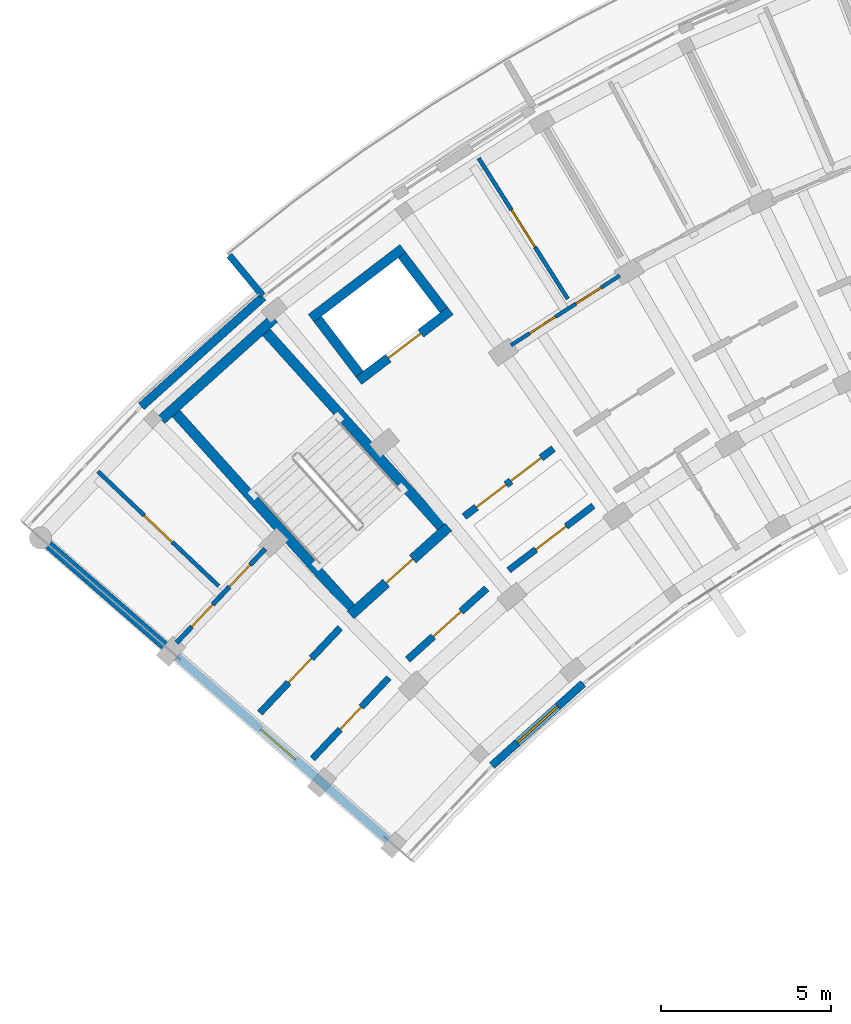
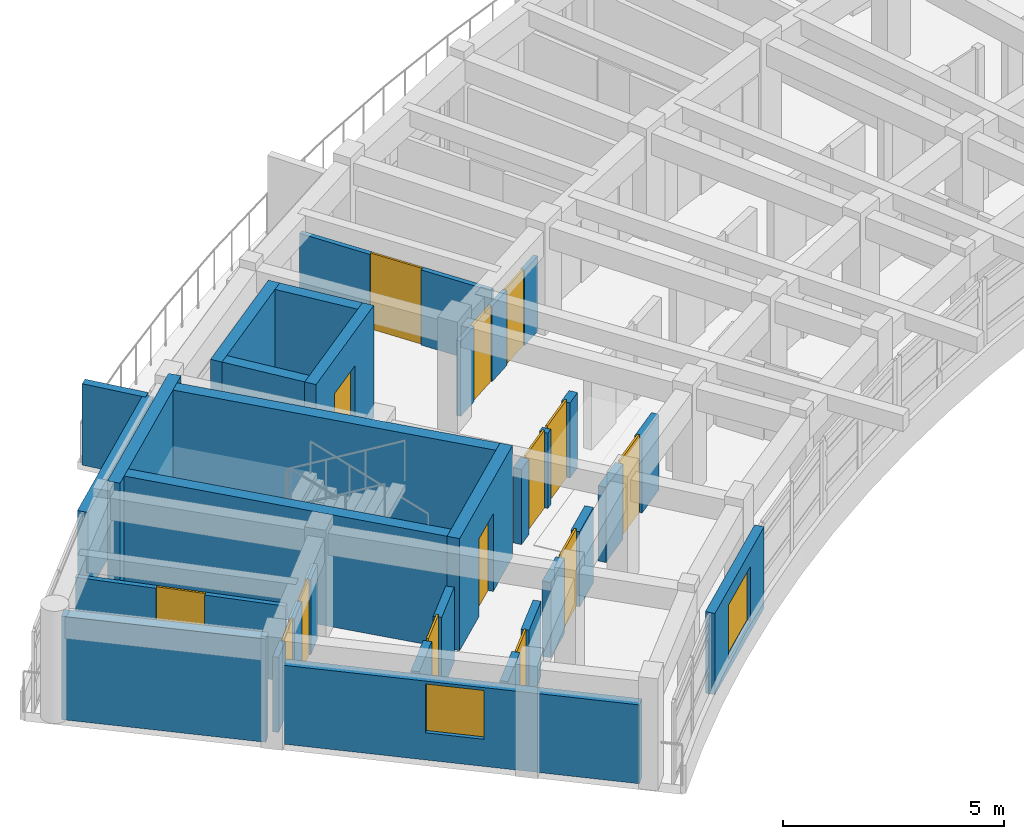
# One storey, part 30 of 50: 22 walls, 14 doors, 2 windows, 16 openings.
"""IFC4 building model written with IfcOpenShell, lengths in metres."""

from ifc_helpers import new_model, si_unit, direction, frame, frame_2d, origin, place, context, subcontext, project, spatial, rectangle, extrude, material, layer, layer_set, type_object, element, fill, save


model = new_model("IFC4")

# Units and contexts
model_context = context("Model", 3, precision=1e-05, world=origin(), true_north=direction((0.0, 1.0)))
body_context = subcontext(model_context, "Body", "Model", "MODEL_VIEW")
ifc_project = project(units=[si_unit("LENGTHUNIT", "METRE"), si_unit("AREAUNIT", "SQUARE_METRE"), si_unit("VOLUMEUNIT", "CUBIC_METRE"), si_unit("PLANEANGLEUNIT", "RADIAN"), si_unit("MASSUNIT", "GRAM", prefix="KILO")], contexts=[model_context])

# Site, building, storey
site_placement = place(None, origin())
site = spatial("IfcSite", under=ifc_project, at=site_placement, CompositionType="ELEMENT")
building_placement = place(site_placement, origin())
building = spatial("IfcBuilding", under=site, at=building_placement, Name="Zimvara Arc Housing Community", CompositionType="ELEMENT")
storey_placement = place(building_placement, frame((0.0, 0.0, 26.699951171875)))
storey = spatial("IfcBuildingStorey", under=building, at=storey_placement, Name="L08", CompositionType="ELEMENT", Elevation=26.699951171875)

# Wall, opening, window
ifc_material_1 = material(Name="Board-Marked Fair-Faced Concrete C35/45", Category="concrete")
ifc_layer_1 = layer(ifc_material_1, 0.22998046875)
ifc_layer_set_1 = layer_set([ifc_layer_1], Name="Board-Marked Fair-Faced Concrete C35/45")
wall_type_1 = type_object("IfcWallType", Name="EWL-CONC-230", PredefinedType="SOLIDWALL", material=ifc_layer_set_1)
wall_1_placement = place(storey_placement, frame((13.84033203125, 76.436767578125, 0.0), z_axis=(0.0, 0.0, 1.0), x_axis=(0.743385092197, 0.668863666751, 0.0)))
wall_1 = element("IfcWall", 1, at=wall_1_placement, inside=storey, type_object=wall_type_1, Name="ewall:blkA:L08:in:b1", PredefinedType="SOLIDWALL", context=body_context, shape_type="SweptSolid", body=[
    extrude(rectangle(XDim=3.603759765625, YDim=0.22998046875, at=frame_2d((1.8017578125, 0.0))), origin(), (0.0, 0.0, 1.0), 2.25),
])
opening_1_placement = place(wall_1_placement, frame((1.001708984375, 0.0, 0.320068359375)))
opening_1 = element("IfcOpeningElement", 2, at=opening_1_placement, cuts=wall_1, Name="Opening W03", PredefinedType="OPENING", context=body_context, shape_type="SweptSolid", body=[
    extrude(rectangle(XDim=1.60009765625, YDim=1.5, at=frame_2d((0.800048828125, 0.75))), frame((0.0, 0.125, 0.0), z_axis=(0.0, -1.0, 0.0), x_axis=(1.0, 0.0, 0.0)), (0.0, 0.0, 1.0), 0.25),
])
ifc_material_2 = material(Name="Solar Control Low-E Double Glazing", Category="glass")
window_type_1 = type_object("IfcWindowType", Name="WIN-RES-1600x1500", PartitioningType="DOUBLE_PANEL_VERTICAL", PredefinedType="WINDOW", material=ifc_material_2)
window_1_placement = place(opening_1_placement, origin())
window_1 = element("IfcWindow", 3, at=window_1_placement, inside=storey, type_object=window_type_1, Name="win:blkA:L08:in:b1", OverallHeight=1.5, OverallWidth=1.60009765625, PartitioningType="DOUBLE_PANEL_VERTICAL", PredefinedType="WINDOW", context=body_context, shape_type="SweptSolid", body=[
    extrude(rectangle(XDim=1.60009765625, YDim=1.5, at=frame_2d((0.800048828125, 0.75))), frame((0.0, 0.030029296875, 0.0), z_axis=(0.0, -1.0, 0.0), x_axis=(1.0, 0.0, 0.0)), (0.0, 0.0, 1.0), 0.06005859375),
])
fill(opening_1, window_1)

# Wall
ifc_material_3 = material(Name="Board-Marked Fair-Faced Concrete C35/45", Category="concrete")
ifc_layer_2 = layer(ifc_material_3, 0.2548828125)
ifc_layer_set_2 = layer_set([ifc_layer_2], Name="Board-Marked Fair-Faced Concrete C35/45")
wall_type_2 = type_object("IfcWallType", Name="EWL-CONC-255", PredefinedType="SOLIDWALL", material=ifc_layer_set_2)
wall_2_placement = place(storey_placement, frame((3.528076171875, 86.996826171875, 0.0), z_axis=(0.0, 0.0, 1.0), x_axis=(0.743387539862, 0.668860946369, 0.0)))
element("IfcWall", 4, at=wall_2_placement, inside=storey, type_object=wall_type_2, Name="ewall:blkA:L08:out:b1", PredefinedType="SOLIDWALL", context=body_context, shape_type="SweptSolid", body=[
    extrude(rectangle(XDim=4.80908203125, YDim=0.2548828125, at=frame_2d((2.404541015625, 0.0))), origin(), (0.0, 0.0, 1.0), 2.25),
])

# Wall, opening, window
wall_3_placement = place(storey_placement, frame((10.766357421875, 74.2587890625, 0.0), z_axis=(0.0, 0.0, 1.0), x_axis=(-0.754717680958, 0.656049710044, 0.0)))
wall_3 = element("IfcWall", 5, at=wall_3_placement, inside=storey, type_object=wall_type_2, Name="ewall:blkA:L08:g0", PredefinedType="SOLIDWALL", context=body_context, shape_type="SweptSolid", body=[
    extrude(rectangle(XDim=8.199951171875, YDim=0.2548828125, at=frame_2d((4.10009765625, 0.0))), origin(), (0.0, 0.0, 1.0), 2.179931640625),
])
opening_2_placement = place(wall_3_placement, frame((3.590087890625, 0.0, 0.75)))
opening_2 = element("IfcOpeningElement", 6, at=opening_2_placement, cuts=wall_3, Name="Opening W12", PredefinedType="OPENING", context=body_context, shape_type="SweptSolid", body=[
    extrude(rectangle(XDim=1.35009765625, YDim=1.35009765625, at=frame_2d((0.675048828125, 0.675048828125))), frame((0.0, 0.137451171875, 0.0), z_axis=(0.0, -1.0, 0.0), x_axis=(1.0, 0.0, 0.0)), (0.0, 0.0, 1.0), 0.27490234375),
])
ifc_material_4 = material(Name="Solar Control Low-E Double Glazing", Category="glass")
window_type_2 = type_object("IfcWindowType", Name="WIN-RES-1350x1350", PartitioningType="DOUBLE_PANEL_VERTICAL", PredefinedType="WINDOW", material=ifc_material_4)
window_2_placement = place(opening_2_placement, origin())
window_2 = element("IfcWindow", 7, at=window_2_placement, inside=storey, type_object=window_type_2, Name="win:blkA:L08:g0:w", OverallHeight=1.35009765625, OverallWidth=1.35009765625, PartitioningType="DOUBLE_PANEL_VERTICAL", PredefinedType="WINDOW", context=body_context, shape_type="SweptSolid", body=[
    extrude(rectangle(XDim=1.35009765625, YDim=1.35009765625, at=frame_2d((0.675048828125, 0.675048828125))), frame((0.0, 0.030029296875, 0.0), z_axis=(0.0, -1.0, 0.0), x_axis=(1.0, 0.0, 0.0)), (0.0, 0.0, 1.0), 0.06005859375),
])
fill(opening_2, window_2)

# Wall
ifc_material_5 = material(Name="Board-Marked Fair-Faced Concrete C35/45", Category="concrete")
ifc_layer_3 = layer(ifc_material_5, 0.195068359375)
ifc_layer_set_3 = layer_set([ifc_layer_3], Name="Board-Marked Fair-Faced Concrete C35/45")
wall_type_3 = type_object("IfcWallType", Name="EWL-PARA-195", PredefinedType="PARAPET", material=ifc_layer_set_3)
wall_4_placement = place(storey_placement, frame((7.09228515625, 90.25732421875, 0.0), z_axis=(0.0, 0.0, 1.0), x_axis=(-0.637952984874, 0.770075313908, 0.0)))
element("IfcWall", 8, at=wall_4_placement, inside=storey, type_object=wall_type_3, Name="finwall:blkA:L08:out:b2", PredefinedType="PARAPET", context=body_context, shape_type="SweptSolid", body=[
    extrude(rectangle(XDim=1.530029296875, YDim=0.195068359375, at=frame_2d((0.76513671875, 0.0))), origin(), (0.0, 0.0, 1.0), 2.25),
])

# Wall, opening, door
ifc_material_6 = material(Name="Concrete C35/45", Category="concrete")
ifc_layer_4 = layer(ifc_material_6, 0.2099609375)
ifc_layer_set_4 = layer_set([ifc_layer_4], Name="Concrete C35/45")
wall_type_4 = type_object("IfcWallType", Name="IWL-CCF-210", PredefinedType="SOLIDWALL", material=ifc_layer_set_4)
wall_5_placement = place(storey_placement, frame((11.357177734375, 79.5517578125, 0.0), z_axis=(0.0, 0.0, 1.0), x_axis=(0.743387266925, 0.668861249718, 0.0)))
wall_5 = element("IfcWall", 9, at=wall_5_placement, inside=storey, type_object=wall_type_4, Name="iwall:blkA:L08:ccf_div:b1", PredefinedType="SOLIDWALL", context=body_context, shape_type="SweptSolid", body=[
    extrude(rectangle(XDim=3.12841796875, YDim=0.2099609375, at=frame_2d((1.564208984375, 0.0))), origin(), (0.0, 0.0, 1.0), 2.080078125),
])
opening_3_placement = place(wall_5_placement, frame((1.014404296875, 0.0, 0.0)))
opening_3 = element("IfcOpeningElement", 10, at=opening_3_placement, cuts=wall_5, Name="Opening FD-CCF1", PredefinedType="OPENING", context=body_context, shape_type="SweptSolid", body=[
    extrude(rectangle(XDim=1.10009765625, YDim=2.14990234375, at=frame_2d((0.550048828125, 1.074951171875))), frame((0.0, 0.114990234375, 0.0), z_axis=(0.0, -1.0, 0.0), x_axis=(1.0, 0.0, 0.0)), (0.0, 0.0, 1.0), 0.22998046875),
])
ifc_material_7 = material(Name="Anodised Aluminium AW-6063", Category="aluminium")
door_type_1 = type_object("IfcDoorType", Name="IDR-CCF-1100x2150", OperationType="NOTDEFINED", PredefinedType="DOOR", material=ifc_material_7)
door_1_placement = place(opening_3_placement, origin())
door_1 = element("IfcDoor", 11, at=door_1_placement, inside=storey, type_object=door_type_1, Name="idoor:blkA:L08:ccf_in:b1", OperationType="SINGLE_SWING_LEFT", OverallHeight=2.14990234375, OverallWidth=1.10009765625, PredefinedType="DOOR", context=body_context, shape_type="SweptSolid", body=[
    extrude(rectangle(XDim=1.10009765625, YDim=2.14990234375, at=frame_2d((0.550048828125, 1.074951171875))), frame((0.0, 0.02490234375, 0.0), z_axis=(0.0, -1.0, 0.0), x_axis=(1.0, 0.0, 0.0)), (0.0, 0.0, 1.0), 0.050048828125),
])
fill(opening_3, door_1)

# Wall, openings, doors
wall_6_placement = place(storey_placement, frame((13.021240234375, 83.758544921875, 0.0), z_axis=(0.0, 0.0, 1.0), x_axis=(0.795498026433, 0.605956178235, 0.0)))
wall_6 = element("IfcWall", 12, at=wall_6_placement, inside=storey, type_object=wall_type_4, Name="iwall:blkA:L08:ll_div:b2", PredefinedType="SOLIDWALL", context=body_context, shape_type="SweptSolid", body=[
    extrude(rectangle(XDim=3.296142578125, YDim=0.2099609375, at=frame_2d((1.64794921875, 0.0))), origin(), (0.0, 0.0, 1.0), 2.080078125),
])
opening_4_placement = place(wall_6_placement, frame((0.449951171875, 0.0, 0.0)))
opening_4 = element("IfcOpeningElement", 13, at=opening_4_placement, cuts=wall_6, Name="Opening FD-CCF1", PredefinedType="OPENING", context=body_context, shape_type="SweptSolid", body=[
    extrude(rectangle(XDim=1.10009765625, YDim=2.14990234375, at=frame_2d((0.550048828125, 1.074951171875))), frame((0.0, 0.114990234375, 0.0), z_axis=(0.0, -1.0, 0.0), x_axis=(1.0, 0.0, 0.0)), (0.0, 0.0, 1.0), 0.22998046875),
])
opening_5_placement = place(wall_6_placement, frame((1.72607421875, 0.0, 0.0)))
opening_5 = element("IfcOpeningElement", 14, at=opening_5_placement, cuts=wall_6, Name="Opening D07", PredefinedType="OPENING", context=body_context, shape_type="SweptSolid", body=[
    extrude(rectangle(XDim=1.1201171875, YDim=2.14990234375, at=frame_2d((0.56005859375, 1.074951171875))), frame((0.0, 0.114990234375, 0.0), z_axis=(0.0, -1.0, 0.0), x_axis=(1.0, 0.0, 0.0)), (0.0, 0.0, 1.0), 0.22998046875),
])
ifc_material_8 = material(Name="Mozambican Hardwood", Category="wood")
door_type_2 = type_object("IfcDoorType", Name="IDR-AMN-1120x2150", OperationType="NOTDEFINED", PredefinedType="DOOR", material=ifc_material_8)
door_2_placement = place(opening_5_placement, origin())
door_2 = element("IfcDoor", 15, at=door_2_placement, inside=storey, type_object=door_type_2, Name="idoor:blkA:L08:rs_in:b2", OperationType="SINGLE_SWING_LEFT", OverallHeight=2.14990234375, OverallWidth=1.1201171875, PredefinedType="DOOR", context=body_context, shape_type="SweptSolid", body=[
    extrude(rectangle(XDim=1.1201171875, YDim=2.14990234375, at=frame_2d((0.56005859375, 1.074951171875))), frame((0.0, 0.02490234375, 0.0), z_axis=(0.0, -1.0, 0.0), x_axis=(1.0, 0.0, 0.0)), (0.0, 0.0, 1.0), 0.050048828125),
])
fill(opening_5, door_2)
door_3_placement = place(opening_4_placement, origin())
door_3 = element("IfcDoor", 16, at=door_3_placement, inside=storey, type_object=door_type_1, Name="idoor:blkA:L08:ll_in:b2", OperationType="SINGLE_SWING_RIGHT", OverallHeight=2.14990234375, OverallWidth=1.10009765625, PredefinedType="DOOR", context=body_context, shape_type="SweptSolid", body=[
    extrude(rectangle(XDim=1.10009765625, YDim=2.14990234375, at=frame_2d((0.550048828125, 1.074951171875))), frame((0.0, 0.02490234375, 0.0), z_axis=(0.0, -1.0, 0.0), x_axis=(1.0, 0.0, 0.0)), (0.0, 0.0, 1.0), 0.050048828125),
])
fill(opening_4, door_3)

# Wall, opening, door
ifc_material_9 = material(Name="Concrete C35/45", Category="concrete")
ifc_layer_5 = layer(ifc_material_9, 0.18994140625)
ifc_layer_set_5 = layer_set([ifc_layer_5], Name="Concrete C35/45")
wall_type_5 = type_object("IfcWallType", Name="IWL-CORR-190", PredefinedType="SOLIDWALL", material=ifc_layer_set_5)
wall_7_placement = place(storey_placement, frame((8.561279296875, 76.638916015625, 0.0), z_axis=(0.0, 0.0, 1.0), x_axis=(0.686307658735, 0.727311348434, 0.0)))
wall_7 = element("IfcWall", 17, at=wall_7_placement, inside=storey, type_object=wall_type_5, Name="iwall:blkA:L08:corr_in:b0", PredefinedType="SOLIDWALL", context=body_context, shape_type="SweptSolid", body=[
    extrude(rectangle(XDim=3.268798828125, YDim=0.18994140625, at=frame_2d((1.63427734375, 0.0))), origin(), (0.0, 0.0, 1.0), 2.080078125),
])
opening_6_placement = place(wall_7_placement, frame((1.184326171875, 0.0, 0.0)))
opening_6 = element("IfcOpeningElement", 18, at=opening_6_placement, cuts=wall_7, Name="Opening D01", PredefinedType="OPENING", context=body_context, shape_type="SweptSolid", body=[
    extrude(rectangle(XDim=0.89990234375, YDim=2.10009765625, at=frame_2d((0.449951171875, 1.050048828125))), frame((0.0, 0.10498046875, 0.0), z_axis=(0.0, -1.0, 0.0), x_axis=(1.0, 0.0, 0.0)), (0.0, 0.0, 1.0), 0.2099609375),
])
ifc_material_10 = material(Name="Mozambican Hardwood", Category="wood")
door_type_3 = type_object("IfcDoorType", Name="IDR-RM-0900x2100", OperationType="NOTDEFINED", PredefinedType="DOOR", material=ifc_material_10)
door_4_placement = place(opening_6_placement, origin())
door_4 = element("IfcDoor", 19, at=door_4_placement, inside=storey, type_object=door_type_3, Name="idoor:blkA:L08:in_rm:b0", OperationType="SINGLE_SWING_LEFT", OverallHeight=2.10009765625, OverallWidth=0.89990234375, PredefinedType="DOOR", context=body_context, shape_type="SweptSolid", body=[
    extrude(rectangle(XDim=0.89990234375, YDim=2.10009765625, at=frame_2d((0.449951171875, 1.050048828125))), frame((0.0, 0.02490234375, 0.0), z_axis=(0.0, -1.0, 0.0), x_axis=(1.0, 0.0, 0.0)), (0.0, 0.0, 1.0), 0.050048828125),
])
fill(opening_6, door_4)

wall_8_placement = place(storey_placement, frame((14.3291015625, 82.179931640625, 0.0), z_axis=(0.0, 0.0, 1.0), x_axis=(0.795501577908, 0.605951515838, 0.0)))
wall_8 = element("IfcWall", 20, at=wall_8_placement, inside=storey, type_object=wall_type_5, Name="iwall:blkA:L08:ra_div:b2", PredefinedType="SOLIDWALL", context=body_context, shape_type="SweptSolid", body=[
    extrude(rectangle(XDim=3.128662109375, YDim=0.18994140625, at=frame_2d((1.564453125, 0.0))), origin(), (0.0, 0.0, 1.0), 2.080078125),
])
opening_7_placement = place(wall_8_placement, frame((1.00439453125, 0.0, 0.0)))
opening_7 = element("IfcOpeningElement", 21, at=opening_7_placement, cuts=wall_8, Name="Opening D07", PredefinedType="OPENING", context=body_context, shape_type="SweptSolid", body=[
    extrude(rectangle(XDim=1.1201171875, YDim=2.14990234375, at=frame_2d((0.56005859375, 1.074951171875))), frame((0.0, 0.10498046875, 0.0), z_axis=(0.0, -1.0, 0.0), x_axis=(1.0, 0.0, 0.0)), (0.0, 0.0, 1.0), 0.2099609375),
])
door_5_placement = place(opening_7_placement, origin())
door_5 = element("IfcDoor", 22, at=door_5_placement, inside=storey, type_object=door_type_2, Name="idoor:blkA:L08:ra_d:b2", OperationType="SINGLE_SWING_RIGHT", OverallHeight=2.14990234375, OverallWidth=1.1201171875, PredefinedType="DOOR", context=body_context, shape_type="SweptSolid", body=[
    extrude(rectangle(XDim=1.1201171875, YDim=2.14990234375, at=frame_2d((0.56005859375, 1.074951171875))), frame((0.0, 0.02490234375, 0.0), z_axis=(0.0, -1.0, 0.0), x_axis=(1.0, 0.0, 0.0)), (0.0, 0.0, 1.0), 0.050048828125),
])
fill(opening_7, door_5)

ifc_material_11 = material(Name="Concrete C35/45", Category="concrete")
ifc_layer_6 = layer(ifc_material_11, 0.199951171875)
ifc_layer_set_6 = layer_set([ifc_layer_6], Name="Concrete C35/45")
wall_type_6 = type_object("IfcWallType", Name="IWL-CORR-200", PredefinedType="SOLIDWALL", material=ifc_layer_set_6)
wall_9_placement = place(storey_placement, frame((7.01416015625, 77.98388671875, 0.0), z_axis=(0.0, 0.0, 1.0), x_axis=(0.686310507227, 0.727308660522, 0.0)))
wall_9 = element("IfcWall", 23, at=wall_9_placement, inside=storey, type_object=wall_type_6, Name="iwall:blkA:L08:corr_out:b0", PredefinedType="SOLIDWALL", context=body_context, shape_type="SweptSolid", body=[
    extrude(rectangle(XDim=3.43603515625, YDim=0.199951171875, at=frame_2d((1.718017578125, 0.0))), origin(), (0.0, 0.0, 1.0), 2.080078125),
])
opening_8_placement = place(wall_9_placement, frame((1.22802734375, 0.0, 0.0)))
opening_8 = element("IfcOpeningElement", 24, at=opening_8_placement, cuts=wall_9, Name="Opening FD-FL1", PredefinedType="OPENING", context=body_context, shape_type="SweptSolid", body=[
    extrude(rectangle(XDim=0.97998046875, YDim=2.14990234375, at=frame_2d((0.489990234375, 1.074951171875))), frame((0.0, 0.10986328125, 0.0), z_axis=(0.0, -1.0, 0.0), x_axis=(1.0, 0.0, 0.0)), (0.0, 0.0, 1.0), 0.219970703125),
])
ifc_material_12 = material(Name="Mozambican Hardwood", Category="wood")
door_type_4 = type_object("IfcDoorType", Name="IDR-FLAT-0980x2150", OperationType="NOTDEFINED", PredefinedType="DOOR", material=ifc_material_12)
door_6_placement = place(opening_8_placement, origin())
door_6 = element("IfcDoor", 25, at=door_6_placement, inside=storey, type_object=door_type_4, Name="idoor:blkA:L08:flat:b0", OperationType="SINGLE_SWING_RIGHT", OverallHeight=2.14990234375, OverallWidth=0.97998046875, PredefinedType="DOOR", context=body_context, shape_type="SweptSolid", body=[
    extrude(rectangle(XDim=0.97998046875, YDim=2.14990234375, at=frame_2d((0.489990234375, 1.074951171875))), frame((0.0, 0.02490234375, 0.0), z_axis=(0.0, -1.0, 0.0), x_axis=(1.0, 0.0, 0.0)), (0.0, 0.0, 1.0), 0.050048828125),
])
fill(opening_8, door_6)

# Wall, openings, doors
ifc_material_13 = material(Name="Painted Acoustic Plasterboard")
ifc_layer_7 = layer(ifc_material_13, 0.110107421875)
ifc_layer_set_7 = layer_set([ifc_layer_7], Name="Painted Acoustic Plasterboard")
wall_type_7 = type_object("IfcWallType", Name="IWL-PART-110", PredefinedType="PARTITIONING", material=ifc_layer_set_7)
wall_10_placement = place(storey_placement, frame((14.396484375, 88.794677734375, 0.0), z_axis=(0.0, 0.0, 1.0), x_axis=(0.842271400662, 0.539053696423, 0.0)))
wall_10 = element("IfcWall", 26, at=wall_10_placement, inside=storey, type_object=wall_type_7, Name="iwall:blkA:L08:srv:b3", PredefinedType="PARTITIONING", context=body_context, shape_type="SweptSolid", body=[
    extrude(rectangle(XDim=3.797119140625, YDim=0.110107421875, at=frame_2d((1.8984375, 0.0))), origin(), (0.0, 0.0, 1.0), 2.080078125),
])
opening_9_placement = place(wall_10_placement, frame((0.64990234375, 0.0, 0.0)))
opening_9 = element("IfcOpeningElement", 27, at=opening_9_placement, cuts=wall_10, Name="Opening D01", PredefinedType="OPENING", context=body_context, shape_type="SweptSolid", body=[
    extrude(rectangle(XDim=0.89990234375, YDim=2.10009765625, at=frame_2d((0.449951171875, 1.050048828125))), frame((0.0, 0.06494140625, 0.0), z_axis=(0.0, -1.0, 0.0), x_axis=(1.0, 0.0, 0.0)), (0.0, 0.0, 1.0), 0.130126953125),
])
opening_10_placement = place(wall_10_placement, frame((2.267333984375, 0.0, 0.0)))
opening_10 = element("IfcOpeningElement", 28, at=opening_10_placement, cuts=wall_10, Name="Opening D05", PredefinedType="OPENING", context=body_context, shape_type="SweptSolid", body=[
    extrude(rectangle(XDim=0.8798828125, YDim=2.10009765625, at=frame_2d((0.43994140625, 1.050048828125))), frame((0.0, 0.06494140625, 0.0), z_axis=(0.0, -1.0, 0.0), x_axis=(1.0, 0.0, 0.0)), (0.0, 0.0, 1.0), 0.130126953125),
])
door_7_placement = place(opening_9_placement, origin())
door_7 = element("IfcDoor", 29, at=door_7_placement, inside=storey, type_object=door_type_3, Name="idoor:blkA:L08:kit_liv:b3", OperationType="SINGLE_SWING_RIGHT", OverallHeight=2.10009765625, OverallWidth=0.89990234375, PredefinedType="DOOR", context=body_context, shape_type="SweptSolid", body=[
    extrude(rectangle(XDim=0.89990234375, YDim=2.10009765625, at=frame_2d((0.449951171875, 1.050048828125))), frame((0.0, 0.02490234375, 0.0), z_axis=(0.0, -1.0, 0.0), x_axis=(1.0, 0.0, 0.0)), (0.0, 0.0, 1.0), 0.050048828125),
])
fill(opening_9, door_7)
ifc_material_14 = material(Name="Mozambican Hardwood", Category="wood")
door_type_5 = type_object("IfcDoorType", Name="IDR-WC-0880x2100", OperationType="NOTDEFINED", PredefinedType="DOOR", material=ifc_material_14)
door_8_placement = place(opening_10_placement, origin())
door_8 = element("IfcDoor", 30, at=door_8_placement, inside=storey, type_object=door_type_5, Name="idoor:blkA:L08:bath_d:b3", OperationType="SINGLE_SWING_LEFT", OverallHeight=2.10009765625, OverallWidth=0.8798828125, PredefinedType="DOOR", context=body_context, shape_type="SweptSolid", body=[
    extrude(rectangle(XDim=0.8798828125, YDim=2.10009765625, at=frame_2d((0.43994140625, 1.050048828125))), frame((0.0, 0.02490234375, 0.0), z_axis=(0.0, -1.0, 0.0), x_axis=(1.0, 0.0, 0.0)), (0.0, 0.0, 1.0), 0.050048828125),
])
fill(opening_10, door_8)

# Wall, opening, door
ifc_material_15 = material(Name="Painted Acoustic Plasterboard")
ifc_layer_8 = layer(ifc_material_15, 0.1201171875)
ifc_layer_set_8 = layer_set([ifc_layer_8], Name="Painted Acoustic Plasterboard")
wall_type_8 = type_object("IfcWallType", Name="IWL-PART-120", PredefinedType="PARTITIONING", material=ifc_layer_set_8)
wall_11_placement = place(storey_placement, frame((5.8017578125, 81.71435546875, 0.0), z_axis=(0.0, 0.0, 1.0), x_axis=(-0.725204659953, 0.688533369694, 0.0)))
wall_11 = element("IfcWall", 31, at=wall_11_placement, inside=storey, type_object=wall_type_8, Name="iwall:blkA:L08:bed_div:b0", PredefinedType="PARTITIONING", context=body_context, shape_type="SweptSolid", body=[
    extrude(rectangle(XDim=4.89990234375, YDim=0.1201171875, at=frame_2d((2.449951171875, 0.0))), origin(), (0.0, 0.0, 1.0), 2.080078125),
])
opening_11_placement = place(wall_11_placement, frame((1.885009765625, 0.0, 0.0)))
opening_11 = element("IfcOpeningElement", 32, at=opening_11_placement, cuts=wall_11, Name="Opening D17", PredefinedType="OPENING", context=body_context, shape_type="SweptSolid", body=[
    extrude(rectangle(XDim=1.1298828125, YDim=2.10009765625, at=frame_2d((0.56494140625, 1.050048828125))), frame((0.0, 0.070068359375, 0.0), z_axis=(0.0, -1.0, 0.0), x_axis=(1.0, 0.0, 0.0)), (0.0, 0.0, 1.0), 0.14013671875),
])
ifc_material_16 = material(Name="Mozambican Hardwood", Category="wood")
door_type_6 = type_object("IfcDoorType", Name="IDR-MOD-1130x2240", OperationType="NOTDEFINED", PredefinedType="DOOR", material=ifc_material_16)
door_9_placement = place(opening_11_placement, origin())
door_9 = element("IfcDoor", 33, at=door_9_placement, inside=storey, type_object=door_type_6, Name="idoor:blkA:L08:bed_d:b0", OperationType="SINGLE_SWING_RIGHT", OverallHeight=2.10009765625, OverallWidth=1.1298828125, PredefinedType="DOOR", context=body_context, shape_type="SweptSolid", body=[
    extrude(rectangle(XDim=1.1298828125, YDim=2.10009765625, at=frame_2d((0.56494140625, 1.050048828125))), frame((0.0, 0.02490234375, 0.0), z_axis=(0.0, -1.0, 0.0), x_axis=(1.0, 0.0, 0.0)), (0.0, 0.0, 1.0), 0.050048828125),
])
fill(opening_11, door_9)

wall_12_placement = place(storey_placement, frame((16.06982421875, 90.15576171875, 0.0), z_axis=(0.0, 0.0, 1.0), x_axis=(-0.535268985628, 0.84468166372, 0.0)))
wall_12 = element("IfcWall", 34, at=wall_12_placement, inside=storey, type_object=wall_type_8, Name="iwall:blkA:L08:bed_div:b3", PredefinedType="PARTITIONING", context=body_context, shape_type="SweptSolid", body=[
    extrude(rectangle(XDim=4.89990234375, YDim=0.1201171875, at=frame_2d((2.449951171875, 0.0))), origin(), (0.0, 0.0, 1.0), 2.080078125),
])
opening_12_placement = place(wall_12_placement, frame((1.800048828125, 0.0, 0.0)))
opening_12 = element("IfcOpeningElement", 35, at=opening_12_placement, cuts=wall_12, Name="Opening D20", PredefinedType="OPENING", context=body_context, shape_type="SweptSolid", body=[
    extrude(rectangle(XDim=1.300048828125, YDim=2.10009765625, at=frame_2d((0.64990234375, 1.050048828125))), frame((0.0, 0.070068359375, 0.0), z_axis=(0.0, -1.0, 0.0), x_axis=(1.0, 0.0, 0.0)), (0.0, 0.0, 1.0), 0.14013671875),
])
ifc_material_17 = material(Name="Mozambican Hardwood", Category="wood")
door_type_7 = type_object("IfcDoorType", Name="IDR-MOD-1300x2240", OperationType="NOTDEFINED", PredefinedType="DOOR", material=ifc_material_17)
door_10_placement = place(opening_12_placement, origin())
door_10 = element("IfcDoor", 36, at=door_10_placement, inside=storey, type_object=door_type_7, Name="idoor:blkA:L08:bed_d:b3", OperationType="SINGLE_SWING_RIGHT", OverallHeight=2.10009765625, OverallWidth=1.300048828125, PredefinedType="DOOR", context=body_context, shape_type="SweptSolid", body=[
    extrude(rectangle(XDim=1.300048828125, YDim=2.10009765625, at=frame_2d((0.64990234375, 1.050048828125))), frame((0.0, 0.02490234375, 0.0), z_axis=(0.0, -1.0, 0.0), x_axis=(1.0, 0.0, 0.0)), (0.0, 0.0, 1.0), 0.050048828125),
])
fill(opening_12, door_10)

# Wall, openings, doors
ifc_material_18 = material(Name="Painted Acoustic Plasterboard")
ifc_layer_9 = layer(ifc_material_18, 0.139892578125)
ifc_layer_set_9 = layer_set([ifc_layer_9], Name="Painted Acoustic Plasterboard")
wall_type_9 = type_object("IfcWallType", Name="IWL-PART-140", PredefinedType="PARTITIONING", material=ifc_layer_set_9)
wall_13_placement = place(storey_placement, frame((4.564697265625, 80.046875, 0.0), z_axis=(0.0, 0.0, 1.0), x_axis=(0.686300649561, 0.727317962388, 0.0)))
wall_13 = element("IfcWall", 37, at=wall_13_placement, inside=storey, type_object=wall_type_9, Name="iwall:blkA:L08:srv:b0", PredefinedType="PARTITIONING", context=body_context, shape_type="SweptSolid", body=[
    extrude(rectangle(XDim=3.79736328125, YDim=0.139892578125, at=frame_2d((1.898681640625, 0.0))), origin(), (0.0, 0.0, 1.0), 2.080078125),
])
opening_13_placement = place(wall_13_placement, frame((0.64990234375, 0.0, 0.0)))
opening_13 = element("IfcOpeningElement", 38, at=opening_13_placement, cuts=wall_13, Name="Opening D01", PredefinedType="OPENING", context=body_context, shape_type="SweptSolid", body=[
    extrude(rectangle(XDim=0.89990234375, YDim=2.10009765625, at=frame_2d((0.449951171875, 1.050048828125))), frame((0.0, 0.079833984375, 0.0), z_axis=(0.0, -1.0, 0.0), x_axis=(1.0, 0.0, 0.0)), (0.0, 0.0, 1.0), 0.159912109375),
])
opening_14_placement = place(wall_13_placement, frame((2.267333984375, 0.0, 0.0)))
opening_14 = element("IfcOpeningElement", 39, at=opening_14_placement, cuts=wall_13, Name="Opening D05", PredefinedType="OPENING", context=body_context, shape_type="SweptSolid", body=[
    extrude(rectangle(XDim=0.8798828125, YDim=2.10009765625, at=frame_2d((0.43994140625, 1.050048828125))), frame((0.0, 0.079833984375, 0.0), z_axis=(0.0, -1.0, 0.0), x_axis=(1.0, 0.0, 0.0)), (0.0, 0.0, 1.0), 0.159912109375),
])
door_11_placement = place(opening_13_placement, origin())
door_11 = element("IfcDoor", 40, at=door_11_placement, inside=storey, type_object=door_type_3, Name="idoor:blkA:L08:kit_liv:b0", OperationType="SINGLE_SWING_RIGHT", OverallHeight=2.10009765625, OverallWidth=0.89990234375, PredefinedType="DOOR", context=body_context, shape_type="SweptSolid", body=[
    extrude(rectangle(XDim=0.89990234375, YDim=2.10009765625, at=frame_2d((0.449951171875, 1.050048828125))), frame((0.0, 0.02490234375, 0.0), z_axis=(0.0, -1.0, 0.0), x_axis=(1.0, 0.0, 0.0)), (0.0, 0.0, 1.0), 0.050048828125),
])
fill(opening_13, door_11)
door_12_placement = place(opening_14_placement, origin())
door_12 = element("IfcDoor", 41, at=door_12_placement, inside=storey, type_object=door_type_5, Name="idoor:blkA:L08:bath_d:b0", OperationType="SINGLE_SWING_LEFT", OverallHeight=2.10009765625, OverallWidth=0.8798828125, PredefinedType="DOOR", context=body_context, shape_type="SweptSolid", body=[
    extrude(rectangle(XDim=0.8798828125, YDim=2.10009765625, at=frame_2d((0.43994140625, 1.050048828125))), frame((0.0, 0.02490234375, 0.0), z_axis=(0.0, -1.0, 0.0), x_axis=(1.0, 0.0, 0.0)), (0.0, 0.0, 1.0), 0.050048828125),
])
fill(opening_14, door_12)

# Wall, opening, door
ifc_material_19 = material(Name="Concrete C40/50", Category="concrete")
ifc_layer_10 = layer(ifc_material_19, 0.280029296875)
ifc_layer_set_10 = layer_set([ifc_layer_10], Name="Concrete C40/50")
wall_type_10 = type_object("IfcWallType", Name="WL-CORE-280", PredefinedType="SHEAR", material=ifc_layer_set_10)
wall_14_placement = place(storey_placement, frame((12.615966796875, 89.80712890625, 0.0), z_axis=(0.0, 0.0, 1.0), x_axis=(-0.795474703455, -0.605986795371, 0.0)))
wall_14 = element("IfcWall", 42, at=wall_14_placement, inside=storey, type_object=wall_type_10, Name="lwall:LF-A1:L08:front", PredefinedType="SHEAR", context=body_context, shape_type="SweptSolid", body=[
    extrude(rectangle(XDim=3.389892578125, YDim=0.280029296875, at=frame_2d((1.69482421875, 0.0))), origin(), (0.0, 0.0, 1.0), 3.10009765625),
])
opening_15_placement = place(wall_14_placement, frame((1.094970703125, 0.0, 0.0)))
opening_15 = element("IfcOpeningElement", 43, at=opening_15_placement, cuts=wall_14, Name="Opening LD-LF-A1", PredefinedType="OPENING", context=body_context, shape_type="SweptSolid", body=[
    extrude(rectangle(XDim=1.199951171875, YDim=2.14990234375, at=frame_2d((0.60009765625, 1.074951171875))), frame((0.0, 0.14990234375, 0.0), z_axis=(0.0, -1.0, 0.0), x_axis=(1.0, 0.0, 0.0)), (0.0, 0.0, 1.0), 0.300048828125),
])
ifc_material_20 = material(Name="Anodised Aluminium AW-6063", Category="aluminium")
door_type_8 = type_object("IfcDoorType", Name="IDR-LD-1200x2150", OperationType="DOUBLE_DOOR_SLIDING", PredefinedType="DOOR", material=ifc_material_20)
door_13_placement = place(opening_15_placement, origin())
door_13 = element("IfcDoor", 44, at=door_13_placement, inside=storey, type_object=door_type_8, Name="Lift LF-A1 Sliding Landing Door L08", OperationType="DOUBLE_DOOR_SLIDING", OverallHeight=2.14990234375, OverallWidth=1.199951171875, PredefinedType="DOOR", context=body_context, shape_type="SweptSolid", body=[
    extrude(rectangle(XDim=1.199951171875, YDim=2.14990234375, at=frame_2d((0.60009765625, 1.074951171875))), frame((0.0, 0.02490234375, 0.0), z_axis=(0.0, -1.0, 0.0), x_axis=(1.0, 0.0, 0.0)), (0.0, 0.0, 1.0), 0.050048828125),
])
fill(opening_15, door_13)

# Walls
wall_15_placement = place(storey_placement, frame((11.216064453125, 91.644775390625, 0.0), z_axis=(0.0, 0.0, 1.0), x_axis=(-0.795439986025, -0.606032365994, 0.0)))
element("IfcWall", 45, at=wall_15_placement, inside=storey, type_object=wall_type_10, Name="lwall:LF-A1:L08:back", PredefinedType="SHEAR", context=body_context, shape_type="SweptSolid", body=[
    extrude(rectangle(XDim=3.389892578125, YDim=0.280029296875, at=frame_2d((1.69482421875, 0.0))), origin(), (0.0, 0.0, 1.0), 3.10009765625),
])
wall_16_placement = place(storey_placement, frame((12.419677734375, 89.833740234375, 0.0), z_axis=(0.0, 0.0, 1.0), x_axis=(-0.605948992168, 0.795503500238, 0.0)))
element("IfcWall", 46, at=wall_16_placement, inside=storey, type_object=wall_type_10, Name="lwall:LF-A1:L08:left", PredefinedType="SHEAR", context=body_context, shape_type="SweptSolid", body=[
    extrude(rectangle(XDim=2.02978515625, YDim=0.280029296875, at=frame_2d((1.014892578125, 0.0))), origin(), (0.0, 0.0, 1.0), 3.10009765625),
])
wall_17_placement = place(storey_placement, frame((9.94580078125, 87.948974609375, 0.0), z_axis=(0.0, 0.0, 1.0), x_axis=(-0.605891019062, 0.795547656033, 0.0)))
element("IfcWall", 47, at=wall_17_placement, inside=storey, type_object=wall_type_10, Name="lwall:LF-A1:L08:right", PredefinedType="SHEAR", context=body_context, shape_type="SweptSolid", body=[
    extrude(rectangle(XDim=2.030029296875, YDim=0.280029296875, at=frame_2d((1.01513671875, 0.0))), origin(), (0.0, 0.0, 1.0), 3.10009765625),
])

# Wall, opening, door
ifc_material_21 = material(Name="Concrete C40/50", Category="concrete")
ifc_layer_11 = layer(ifc_material_21, 0.300048828125)
ifc_layer_set_11 = layer_set([ifc_layer_11], Name="Concrete C40/50")
wall_type_11 = type_object("IfcWallType", Name="WL-CORE-300", PredefinedType="SHEAR", material=ifc_layer_set_11)
wall_18_placement = place(storey_placement, frame((12.556884765625, 83.4501953125, 0.0), z_axis=(0.0, 0.0, 1.0), x_axis=(-0.743375696158, -0.668874109501, 0.0)))
wall_18 = element("IfcWall", 48, at=wall_18_placement, inside=storey, type_object=wall_type_11, Name="cwall:ST-A1:L08:near", PredefinedType="SHEAR", context=body_context, shape_type="SweptSolid", body=[
    extrude(rectangle(XDim=3.8701171875, YDim=0.300048828125, at=frame_2d((1.93505859375, 0.0))), origin(), (0.0, 0.0, 1.0), 3.10009765625),
])
opening_16_placement = place(wall_18_placement, frame((1.409912109375, 0.0, 0.0)))
opening_16 = element("IfcOpeningElement", 49, at=opening_16_placement, cuts=wall_18, Name="Opening FD-ST2", PredefinedType="OPENING", context=body_context, shape_type="SweptSolid", body=[
    extrude(rectangle(XDim=1.050048828125, YDim=2.14990234375, at=frame_2d((0.52490234375, 1.074951171875))), frame((0.0, 0.159912109375, 0.0), z_axis=(0.0, -1.0, 0.0), x_axis=(1.0, 0.0, 0.0)), (0.0, 0.0, 1.0), 0.320068359375),
])
ifc_material_22 = material(Name="Anodised Aluminium AW-6063", Category="aluminium")
door_type_9 = type_object("IfcDoorType", Name="IDR-ST-1050x2150", OperationType="NOTDEFINED", PredefinedType="DOOR", material=ifc_material_22)
door_14_placement = place(opening_16_placement, origin())
door_14 = element("IfcDoor", 50, at=door_14_placement, inside=storey, type_object=door_type_9, Name="idoor:ST-A1:L08:entry", OperationType="SINGLE_SWING_RIGHT", OverallHeight=2.14990234375, OverallWidth=1.050048828125, PredefinedType="DOOR", context=body_context, shape_type="SweptSolid", body=[
    extrude(rectangle(XDim=1.050048828125, YDim=2.14990234375, at=frame_2d((0.52490234375, 1.074951171875))), frame((0.0, 0.02490234375, 0.0), z_axis=(0.0, -1.0, 0.0), x_axis=(1.0, 0.0, 0.0)), (0.0, 0.0, 1.0), 0.050048828125),
])
fill(opening_16, door_14)

# Walls
wall_19_placement = place(storey_placement, frame((7.435546875, 89.59033203125, 0.0), z_axis=(0.0, 0.0, 1.0), x_axis=(-0.743400052815, -0.668847038922, 0.0)))
element("IfcWall", 51, at=wall_19_placement, inside=storey, type_object=wall_type_11, Name="cwall:ST-A1:L08:far", PredefinedType="SHEAR", context=body_context, shape_type="SweptSolid", body=[
    extrude(rectangle(XDim=4.469970703125, YDim=0.300048828125, at=frame_2d((2.23486328125, 0.0))), origin(), (0.0, 0.0, 1.0), 3.10009765625),
])
wall_20_placement = place(storey_placement, frame((12.344970703125, 83.461181640625, 0.0), z_axis=(0.0, 0.0, 1.0), x_axis=(-0.668868253964, 0.743380964808, 0.0)))
element("IfcWall", 52, at=wall_20_placement, inside=storey, type_object=wall_type_11, Name="cwall:ST-A1:L08:left", PredefinedType="SHEAR", context=body_context, shape_type="SweptSolid", body=[
    extrude(rectangle(XDim=7.68994140625, YDim=0.300048828125, at=frame_2d((3.844970703125, 0.0))), origin(), (0.0, 0.0, 1.0), 3.10009765625),
])
wall_21_placement = place(storey_placement, frame((9.691162109375, 81.073486328125, 0.0), z_axis=(0.0, 0.0, 1.0), x_axis=(-0.668885797871, 0.743365179038, 0.0)))
element("IfcWall", 53, at=wall_21_placement, inside=storey, type_object=wall_type_11, Name="cwall:ST-A1:L08:right", PredefinedType="SHEAR", context=body_context, shape_type="SweptSolid", body=[
    extrude(rectangle(XDim=7.690185546875, YDim=0.300048828125, at=frame_2d((3.84521484375, 0.0))), origin(), (0.0, 0.0, 1.0), 3.10009765625),
])
ifc_material_23 = material(Name="Concrete C40/50", Category="concrete")
ifc_layer_12 = layer(ifc_material_23, 0.27001953125)
ifc_layer_set_12 = layer_set([ifc_layer_12], Name="Concrete C40/50")
wall_type_12 = type_object("IfcWallType", Name="WL-SHEAR-270", PredefinedType="SHEAR", material=ifc_layer_set_12)
wall_22_placement = place(storey_placement, frame((4.2607421875, 79.9140625, 0.0), z_axis=(0.0, 0.0, 1.0), x_axis=(-0.754703505217, 0.65606601742, 0.0)))
element("IfcWall", 54, at=wall_22_placement, inside=storey, type_object=wall_type_12, Name="swall:blkA:L08:west", PredefinedType="SHEAR", context=body_context, shape_type="SweptSolid", body=[
    extrude(rectangle(XDim=4.719970703125, YDim=0.27001953125, at=frame_2d((2.35986328125, 0.0))), origin(), (0.0, 0.0, 1.0), 2.860107421875),
])

save(model, "model.ifc")
